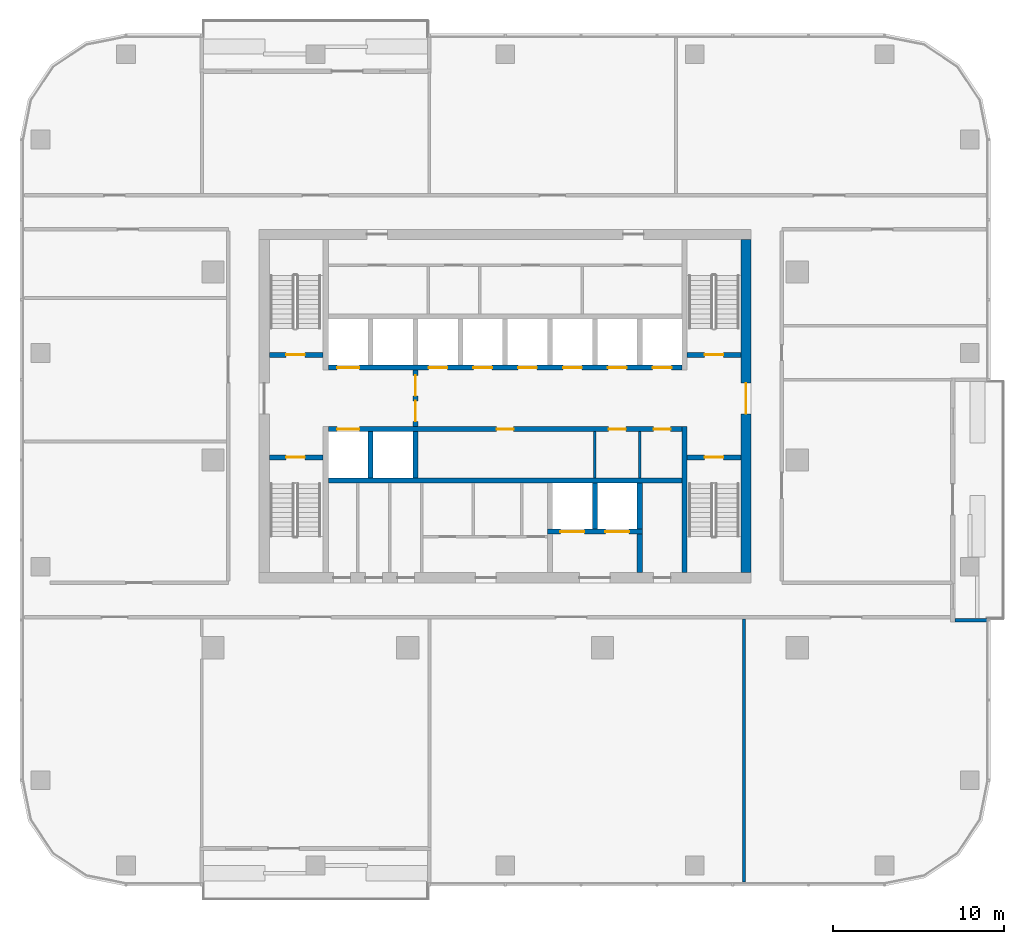
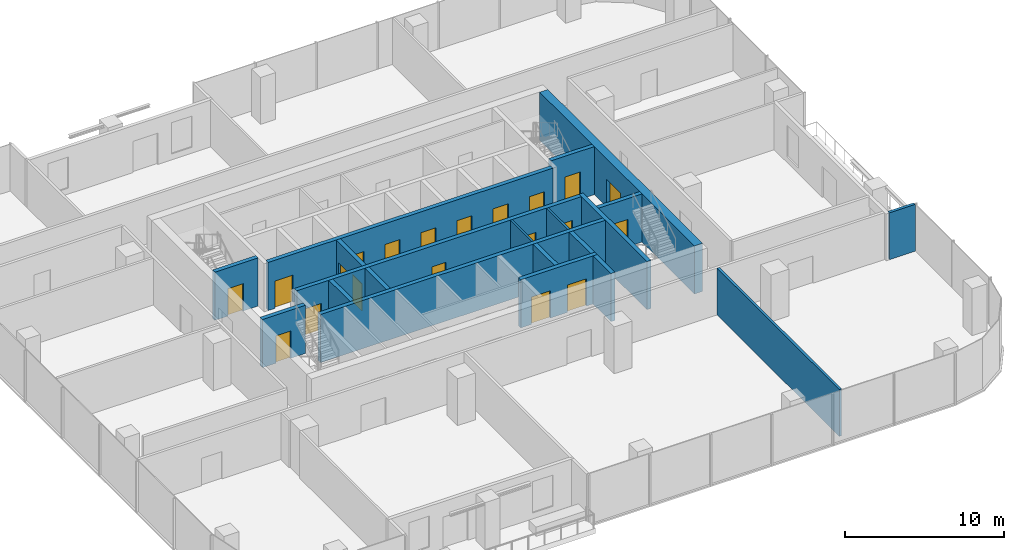
# One storey, part 8 of 14: 20 doors, 20 walls, 20 openings.
"""IFC4 building model written with IfcOpenShell, lengths in metres."""

from ifc_helpers import new_model, si_unit, direction, frame, frame_2d, origin, place, context, subcontext, project, spatial, rectangle, extrude, material, layer, layer_set, type_object, element, fill, save


model = new_model("IFC4")

# Units and contexts
model_context = context("Model", 3, precision=1e-05, world=origin(), true_north=direction((0.0, 1.0)))
body_context = subcontext(model_context, "Body", "Model", "MODEL_VIEW")
ifc_project = project(units=[si_unit("LENGTHUNIT", "METRE"), si_unit("AREAUNIT", "SQUARE_METRE"), si_unit("VOLUMEUNIT", "CUBIC_METRE"), si_unit("PLANEANGLEUNIT", "RADIAN"), si_unit("MASSUNIT", "GRAM", prefix="KILO")], contexts=[model_context])

# Site, building, storey
site_placement = place(None, origin())
site = spatial("IfcSite", under=ifc_project, at=site_placement, CompositionType="ELEMENT")
building_placement = place(site_placement, origin())
building = spatial("IfcBuilding", under=site, at=building_placement, Name="Mopane Tessera Tower", CompositionType="ELEMENT")
storey_placement = place(building_placement, frame((0.0, 0.0, 227.0)))
storey = spatial("IfcBuildingStorey", under=building, at=storey_placement, Name="L48", CompositionType="ELEMENT", Elevation=227.0)

# Walls
ifc_material_1 = material(Name="Fire-rated gypsum board partition")
ifc_layer_1 = layer(ifc_material_1, 0.14990234375)
ifc_layer_set_1 = layer_set([ifc_layer_1], Name="Fire-rated gypsum board partition")
wall_type_1 = type_object("IfcWallType", Name="Core room partition 150 mm", PredefinedType="PARTITIONING", material=ifc_layer_set_1)
for number, where, z_axis, x_axis, name in (
    (1, (5.25, -1.050048828125, 0.0), (0.0, 0.0, 1.0), (0.0, 1.0, 0.0), "L48 Room partition"),
    (2, (7.875, -1.050048828125, 0.0), (0.0, 0.0, 1.0), (0.0, 1.0, 0.0), "L48 Room partition"),
):
    element("IfcWall", number, at=place(storey_placement, frame(where, z_axis=z_axis, x_axis=x_axis)), inside=storey, type_object=wall_type_1, Name=name, PredefinedType="PARTITIONING", context=body_context, shape_type="SweptSolid", body=[
        extrude(rectangle(XDim=2.699951171875, YDim=0.14990234375, at=frame_2d((1.35009765625, 0.0))), origin(), (0.0, 0.0, 1.0), 3.699951171875),
    ])

# Wall, opening, door
ifc_material_2 = material(Name="Concrete C70/85", Category="concrete")
ifc_layer_2 = layer(ifc_material_2, 0.60009765625)
ifc_layer_set_2 = layer_set([ifc_layer_2], Name="Concrete C70/85")
wall_type_2 = type_object("IfcWallType", Name="Core shear wall 600 mm", PredefinedType="SHEAR", material=ifc_layer_set_2)
wall_1_placement = place(storey_placement, frame((14.10009765625, -6.60009765625, 0.0), z_axis=(0.0, 0.0, 1.0), x_axis=(0.0, 1.0, 0.0)))
wall_1 = element("IfcWall", 3, at=wall_1_placement, inside=storey, type_object=wall_type_2, Name="L48 Core wall east", PredefinedType="SHEAR", context=body_context, shape_type="SweptSolid", body=[
    extrude(rectangle(XDim=19.5, YDim=0.60009765625, at=frame_2d((9.75, 0.0))), origin(), (0.0, 0.0, 1.0), 3.699951171875),
])
opening_1_placement = place(wall_1_placement, frame((9.300048828125, 0.0, 0.0)))
opening_1 = element("IfcOpeningElement", 4, at=opening_1_placement, cuts=wall_1, Name="Opening SD2", PredefinedType="OPENING", context=body_context, shape_type="SweptSolid", body=[
    extrude(rectangle(XDim=1.800048828125, YDim=2.10009765625, at=frame_2d((0.89990234375, 1.050048828125))), frame((0.0, 0.31201171875, 0.0), z_axis=(0.0, -1.0, 0.0), x_axis=(1.0, 0.0, 0.0)), (0.0, 0.0, 1.0), 0.6240234375),
])
ifc_material_3 = material(Name="Steel fire door", Category="steel")
door_type_1 = type_object("IfcDoorType", Name="Core entrance double door 1800 x 2100", OperationType="DOUBLE_DOOR_SINGLE_SWING", PredefinedType="DOOR", material=ifc_material_3)
door_1_placement = place(opening_1_placement, origin())
door_1 = element("IfcDoor", 5, at=door_1_placement, inside=storey, type_object=door_type_1, Name="L48 Core entrance door east", OperationType="DOUBLE_DOOR_SINGLE_SWING", OverallHeight=2.10009765625, OverallWidth=1.800048828125, PredefinedType="DOOR", context=body_context, shape_type="SweptSolid", body=[
    extrude(rectangle(XDim=1.800048828125, YDim=2.10009765625, at=frame_2d((0.89990234375, 1.050048828125))), frame((0.0, 0.02490234375, 0.0), z_axis=(0.0, -1.0, 0.0), x_axis=(1.0, 0.0, 0.0)), (0.0, 0.0, 1.0), 0.050048828125),
])
fill(opening_1, door_1)

# Walls
ifc_material_4 = material(Name="Concrete C60/75", Category="concrete")
ifc_layer_3 = layer(ifc_material_4, 0.300048828125)
ifc_layer_set_3 = layer_set([ifc_layer_3], Name="Concrete C60/75")
wall_type_3 = type_object("IfcWallType", Name="Core spine wall 300 mm", PredefinedType="SHEAR", material=ifc_layer_set_3)
wall_2_placement = place(storey_placement, frame((10.5, -6.60009765625, 0.0), z_axis=(0.0, 0.0, 1.0), x_axis=(0.0, 1.0, 0.0)))
element("IfcWall", 6, at=wall_2_placement, inside=storey, type_object=wall_type_3, Name="L48 Core spine wall", PredefinedType="SHEAR", context=body_context, shape_type="SweptSolid", body=[
    extrude(rectangle(XDim=8.550048828125, YDim=0.300048828125, at=frame_2d((4.27490234375, 0.0))), origin(), (0.0, 0.0, 1.0), 3.699951171875),
])
ifc_material_5 = material(Name="Gypsum board on staggered steel studs, double layer each face, acoustic mineral wool infill", Category="steel")
ifc_layer_4 = layer(ifc_material_5, 0.175048828125)
ifc_layer_set_4 = layer_set([ifc_layer_4], Name="Gypsum board on staggered steel studs, double layer each face, acoustic mineral wool infill")
wall_type_4 = type_object("IfcWallType", Name="Gypsum board acoustic partition 175, rated EI 60", PredefinedType="PARTITIONING", material=ifc_layer_set_4)
wall_3_placement = place(storey_placement, frame((13.97509765625, -24.699951171875, 0.0), z_axis=(0.0, 0.0, 1.0), x_axis=(0.0, 1.0, 0.0)))
element("IfcWall", 7, at=wall_3_placement, inside=storey, type_object=wall_type_4, Name="Partition L48:017", PredefinedType="PARTITIONING", context=body_context, shape_type="SweptSolid", body=[
    extrude(rectangle(XDim=15.39990234375, YDim=0.175048828125, at=frame_2d((7.699951171875, 0.0))), origin(), (0.0, 0.0, 1.0), 3.60009765625),
])

# Wall, opening, door
ifc_material_6 = material(Name="Concrete C50/60", Category="concrete")
ifc_layer_5 = layer(ifc_material_6, 0.300048828125)
ifc_layer_set_5 = layer_set([ifc_layer_5], Name="Concrete C50/60")
wall_type_5 = type_object("IfcWallType", Name="Lift and stair shaft wall 300 mm", PredefinedType="SOLIDWALL", material=ifc_layer_set_5)
wall_4_placement = place(storey_placement, frame((-13.800048828125, 0.14990234375, 0.0), z_axis=(0.0, 0.0, 1.0), x_axis=(1.0, 0.0, 0.0)))
wall_4 = element("IfcWall", 8, at=wall_4_placement, inside=storey, type_object=wall_type_5, Name="L48 Stair enclosure wall", PredefinedType="SOLIDWALL", context=body_context, shape_type="SweptSolid", body=[
    extrude(rectangle(XDim=3.150146484375, YDim=0.300048828125, at=frame_2d((1.5751953125, 0.0))), origin(), (0.0, 0.0, 1.0), 3.699951171875),
])
opening_2_placement = place(wall_4_placement, frame((0.97509765625, 0.0, 0.0)))
opening_2 = element("IfcOpeningElement", 9, at=opening_2_placement, cuts=wall_4, Name="Opening SD1", PredefinedType="OPENING", context=body_context, shape_type="SweptSolid", body=[
    extrude(rectangle(XDim=1.10009765625, YDim=2.10009765625, at=frame_2d((0.550048828125, 1.050048828125))), frame((0.0, 0.162109375, 0.0), z_axis=(0.0, -1.0, 0.0), x_axis=(1.0, 0.0, 0.0)), (0.0, 0.0, 1.0), 0.323974609375),
])
ifc_material_7 = material(Name="Steel fire door", Category="steel")
door_type_2 = type_object("IfcDoorType", Name="Stair fire door 1100 x 2100", OperationType="SINGLE_SWING_LEFT", PredefinedType="DOOR", material=ifc_material_7)
door_2_placement = place(opening_2_placement, origin())
door_2 = element("IfcDoor", 10, at=door_2_placement, inside=storey, type_object=door_type_2, Name="L48 Stair door ST1", OperationType="SINGLE_SWING_LEFT", OverallHeight=2.10009765625, OverallWidth=1.10009765625, PredefinedType="DOOR", context=body_context, shape_type="SweptSolid", body=[
    extrude(rectangle(XDim=1.10009765625, YDim=2.10009765625, at=frame_2d((0.550048828125, 1.050048828125))), frame((0.0, 0.02490234375, 0.0), z_axis=(0.0, -1.0, 0.0), x_axis=(1.0, 0.0, 0.0)), (0.0, 0.0, 1.0), 0.050048828125),
])
fill(opening_2, door_2)

wall_5_placement = place(storey_placement, frame((-13.800048828125, 6.14990234375, 0.0), z_axis=(0.0, 0.0, 1.0), x_axis=(1.0, 0.0, 0.0)))
wall_5 = element("IfcWall", 11, at=wall_5_placement, inside=storey, type_object=wall_type_5, Name="L48 Stair enclosure wall", PredefinedType="SOLIDWALL", context=body_context, shape_type="SweptSolid", body=[
    extrude(rectangle(XDim=3.150146484375, YDim=0.300048828125, at=frame_2d((1.5751953125, 0.0))), origin(), (0.0, 0.0, 1.0), 3.699951171875),
])
opening_3_placement = place(wall_5_placement, frame((0.97509765625, 0.0, 0.0)))
opening_3 = element("IfcOpeningElement", 12, at=opening_3_placement, cuts=wall_5, Name="Opening SD1", PredefinedType="OPENING", context=body_context, shape_type="SweptSolid", body=[
    extrude(rectangle(XDim=1.10009765625, YDim=2.10009765625, at=frame_2d((0.550048828125, 1.050048828125))), frame((0.0, 0.162109375, 0.0), z_axis=(0.0, -1.0, 0.0), x_axis=(1.0, 0.0, 0.0)), (0.0, 0.0, 1.0), 0.323974609375),
])
door_3_placement = place(opening_3_placement, origin())
door_3 = element("IfcDoor", 13, at=door_3_placement, inside=storey, type_object=door_type_2, Name="L48 Stair door ST2", OperationType="SINGLE_SWING_LEFT", OverallHeight=2.10009765625, OverallWidth=1.10009765625, PredefinedType="DOOR", context=body_context, shape_type="SweptSolid", body=[
    extrude(rectangle(XDim=1.10009765625, YDim=2.10009765625, at=frame_2d((0.550048828125, 1.050048828125))), frame((0.0, 0.02490234375, 0.0), z_axis=(0.0, -1.0, 0.0), x_axis=(1.0, 0.0, 0.0)), (0.0, 0.0, 1.0), 0.050048828125),
])
fill(opening_3, door_3)

wall_6_placement = place(storey_placement, frame((10.64990234375, 0.14990234375, 0.0), z_axis=(0.0, 0.0, 1.0), x_axis=(1.0, 0.0, 0.0)))
wall_6 = element("IfcWall", 14, at=wall_6_placement, inside=storey, type_object=wall_type_5, Name="L48 Stair enclosure wall", PredefinedType="SOLIDWALL", context=body_context, shape_type="SweptSolid", body=[
    extrude(rectangle(XDim=3.150146484375, YDim=0.300048828125, at=frame_2d((1.5751953125, 0.0))), origin(), (0.0, 0.0, 1.0), 3.699951171875),
])
opening_4_placement = place(wall_6_placement, frame((1.02490234375, 0.0, 0.0)))
opening_4 = element("IfcOpeningElement", 15, at=opening_4_placement, cuts=wall_6, Name="Opening SD1", PredefinedType="OPENING", context=body_context, shape_type="SweptSolid", body=[
    extrude(rectangle(XDim=1.10009765625, YDim=2.10009765625, at=frame_2d((0.550048828125, 1.050048828125))), frame((0.0, 0.162109375, 0.0), z_axis=(0.0, -1.0, 0.0), x_axis=(1.0, 0.0, 0.0)), (0.0, 0.0, 1.0), 0.323974609375),
])
door_4_placement = place(opening_4_placement, origin())
door_4 = element("IfcDoor", 16, at=door_4_placement, inside=storey, type_object=door_type_2, Name="L48 Stair door ST3", OperationType="SINGLE_SWING_RIGHT", OverallHeight=2.10009765625, OverallWidth=1.10009765625, PredefinedType="DOOR", context=body_context, shape_type="SweptSolid", body=[
    extrude(rectangle(XDim=1.10009765625, YDim=2.10009765625, at=frame_2d((0.550048828125, 1.050048828125))), frame((0.0, 0.02490234375, 0.0), z_axis=(0.0, -1.0, 0.0), x_axis=(1.0, 0.0, 0.0)), (0.0, 0.0, 1.0), 0.050048828125),
])
fill(opening_4, door_4)

wall_7_placement = place(storey_placement, frame((10.64990234375, 6.14990234375, 0.0), z_axis=(0.0, 0.0, 1.0), x_axis=(1.0, 0.0, 0.0)))
wall_7 = element("IfcWall", 17, at=wall_7_placement, inside=storey, type_object=wall_type_5, Name="L48 Stair enclosure wall", PredefinedType="SOLIDWALL", context=body_context, shape_type="SweptSolid", body=[
    extrude(rectangle(XDim=3.150146484375, YDim=0.300048828125, at=frame_2d((1.5751953125, 0.0))), origin(), (0.0, 0.0, 1.0), 3.699951171875),
])
opening_5_placement = place(wall_7_placement, frame((1.02490234375, 0.0, 0.0)))
opening_5 = element("IfcOpeningElement", 18, at=opening_5_placement, cuts=wall_7, Name="Opening SD1", PredefinedType="OPENING", context=body_context, shape_type="SweptSolid", body=[
    extrude(rectangle(XDim=1.10009765625, YDim=2.10009765625, at=frame_2d((0.550048828125, 1.050048828125))), frame((0.0, 0.162109375, 0.0), z_axis=(0.0, -1.0, 0.0), x_axis=(1.0, 0.0, 0.0)), (0.0, 0.0, 1.0), 0.323974609375),
])
door_5_placement = place(opening_5_placement, origin())
door_5 = element("IfcDoor", 19, at=door_5_placement, inside=storey, type_object=door_type_2, Name="L48 Stair door ST4", OperationType="SINGLE_SWING_RIGHT", OverallHeight=2.10009765625, OverallWidth=1.10009765625, PredefinedType="DOOR", context=body_context, shape_type="SweptSolid", body=[
    extrude(rectangle(XDim=1.10009765625, YDim=2.10009765625, at=frame_2d((0.550048828125, 1.050048828125))), frame((0.0, 0.02490234375, 0.0), z_axis=(0.0, -1.0, 0.0), x_axis=(1.0, 0.0, 0.0)), (0.0, 0.0, 1.0), 0.050048828125),
])
fill(opening_5, door_5)

# Wall
wall_8_placement = place(storey_placement, frame((-10.35009765625, -1.199951171875, 0.0), z_axis=(0.0, 0.0, 1.0), x_axis=(1.0, 0.0, 0.0)))
element("IfcWall", 20, at=wall_8_placement, inside=storey, type_object=wall_type_5, Name="L48 Lift shaft rear wall", PredefinedType="SOLIDWALL", context=body_context, shape_type="SweptSolid", body=[
    extrude(rectangle(XDim=20.7001953125, YDim=0.300048828125, at=frame_2d((10.35009765625, 0.0))), origin(), (0.0, 0.0, 1.0), 3.699951171875),
])

# Wall, openings, doors
wall_9_placement = place(storey_placement, frame((-10.35009765625, 1.800048828125, 0.0), z_axis=(0.0, 0.0, 1.0), x_axis=(1.0, 0.0, 0.0)))
wall_9 = element("IfcWall", 21, at=wall_9_placement, inside=storey, type_object=wall_type_5, Name="L48 Lift shaft front wall", PredefinedType="SOLIDWALL", context=body_context, shape_type="SweptSolid", body=[
    extrude(rectangle(XDim=20.7001953125, YDim=0.300048828125, at=frame_2d((10.35009765625, 0.0))), origin(), (0.0, 0.0, 1.0), 3.699951171875),
])
opening_6_placement = place(wall_9_placement, frame((0.512451171875, 0.0, 0.0)))
opening_6 = element("IfcOpeningElement", 22, at=opening_6_placement, cuts=wall_9, Name="Opening LD2", PredefinedType="OPENING", context=body_context, shape_type="SweptSolid", body=[
    extrude(rectangle(XDim=1.300048828125, YDim=2.10009765625, at=frame_2d((0.64990234375, 1.050048828125))), frame((0.0, 0.162109375, 0.0), z_axis=(0.0, -1.0, 0.0), x_axis=(1.0, 0.0, 0.0)), (0.0, 0.0, 1.0), 0.323974609375),
])
opening_7_placement = place(wall_9_placement, frame((9.85009765625, 0.0, 0.0)))
opening_7 = element("IfcOpeningElement", 23, at=opening_7_placement, cuts=wall_9, Name="Opening RD1", PredefinedType="OPENING", context=body_context, shape_type="SweptSolid", body=[
    extrude(rectangle(XDim=1.0, YDim=2.10009765625, at=frame_2d((0.5, 1.050048828125))), frame((0.0, 0.162109375, 0.0), z_axis=(0.0, -1.0, 0.0), x_axis=(1.0, 0.0, 0.0)), (0.0, 0.0, 1.0), 0.323974609375),
])
opening_8_placement = place(wall_9_placement, frame((16.41259765625, 0.0, 0.0)))
opening_8 = element("IfcOpeningElement", 24, at=opening_8_placement, cuts=wall_9, Name="Opening RD1", PredefinedType="OPENING", context=body_context, shape_type="SweptSolid", body=[
    extrude(rectangle(XDim=1.0, YDim=2.10009765625, at=frame_2d((0.5, 1.050048828125))), frame((0.0, 0.162109375, 0.0), z_axis=(0.0, -1.0, 0.0), x_axis=(1.0, 0.0, 0.0)), (0.0, 0.0, 1.0), 0.323974609375),
])
opening_9_placement = place(wall_9_placement, frame((19.03759765625, 0.0, 0.0)))
opening_9 = element("IfcOpeningElement", 25, at=opening_9_placement, cuts=wall_9, Name="Opening RD1", PredefinedType="OPENING", context=body_context, shape_type="SweptSolid", body=[
    extrude(rectangle(XDim=1.0, YDim=2.10009765625, at=frame_2d((0.5, 1.050048828125))), frame((0.0, 0.162109375, 0.0), z_axis=(0.0, -1.0, 0.0), x_axis=(1.0, 0.0, 0.0)), (0.0, 0.0, 1.0), 0.323974609375),
])
ifc_material_8 = material(Name="Timber door", Category="wood")
door_type_3 = type_object("IfcDoorType", Name="Core room door 1000 x 2100", OperationType="SINGLE_SWING_LEFT", PredefinedType="DOOR", material=ifc_material_8)
door_6_placement = place(opening_7_placement, origin())
door_6 = element("IfcDoor", 26, at=door_6_placement, inside=storey, type_object=door_type_3, Name="L48 Room door", OperationType="SINGLE_SWING_LEFT", OverallHeight=2.10009765625, OverallWidth=1.0, PredefinedType="DOOR", context=body_context, shape_type="SweptSolid", body=[
    extrude(rectangle(XDim=1.0, YDim=2.10009765625, at=frame_2d((0.5, 1.050048828125))), frame((0.0, 0.02490234375, 0.0), z_axis=(0.0, -1.0, 0.0), x_axis=(1.0, 0.0, 0.0)), (0.0, 0.0, 1.0), 0.050048828125),
])
fill(opening_7, door_6)
door_7_placement = place(opening_8_placement, origin())
door_7 = element("IfcDoor", 27, at=door_7_placement, inside=storey, type_object=door_type_3, Name="L48 Room door", OperationType="SINGLE_SWING_LEFT", OverallHeight=2.10009765625, OverallWidth=1.0, PredefinedType="DOOR", context=body_context, shape_type="SweptSolid", body=[
    extrude(rectangle(XDim=1.0, YDim=2.10009765625, at=frame_2d((0.5, 1.050048828125))), frame((0.0, 0.02490234375, 0.0), z_axis=(0.0, -1.0, 0.0), x_axis=(1.0, 0.0, 0.0)), (0.0, 0.0, 1.0), 0.050048828125),
])
fill(opening_8, door_7)
door_8_placement = place(opening_9_placement, origin())
door_8 = element("IfcDoor", 28, at=door_8_placement, inside=storey, type_object=door_type_3, Name="L48 Room door", OperationType="SINGLE_SWING_LEFT", OverallHeight=2.10009765625, OverallWidth=1.0, PredefinedType="DOOR", context=body_context, shape_type="SweptSolid", body=[
    extrude(rectangle(XDim=1.0, YDim=2.10009765625, at=frame_2d((0.5, 1.050048828125))), frame((0.0, 0.02490234375, 0.0), z_axis=(0.0, -1.0, 0.0), x_axis=(1.0, 0.0, 0.0)), (0.0, 0.0, 1.0), 0.050048828125),
])
fill(opening_9, door_8)
ifc_material_9 = material(Name="Stainless steel sliding door", Category="steel")
door_type_4 = type_object("IfcDoorType", Name="Fire-fighting lift landing door 1300 x 2100", OperationType="DOUBLE_DOOR_SLIDING", PredefinedType="DOOR", material=ifc_material_9)
door_9_placement = place(opening_6_placement, origin())
door_9 = element("IfcDoor", 29, at=door_9_placement, inside=storey, type_object=door_type_4, Name="L48 Lift landing door FF1", OperationType="DOUBLE_DOOR_SLIDING", OverallHeight=2.10009765625, OverallWidth=1.300048828125, PredefinedType="DOOR", context=body_context, shape_type="SweptSolid", body=[
    extrude(rectangle(XDim=1.300048828125, YDim=2.10009765625, at=frame_2d((0.64990234375, 1.050048828125))), frame((0.0, 0.02490234375, 0.0), z_axis=(0.0, -1.0, 0.0), x_axis=(1.0, 0.0, 0.0)), (0.0, 0.0, 1.0), 0.050048828125),
])
fill(opening_6, door_9)

wall_10_placement = place(storey_placement, frame((-10.35009765625, 5.39990234375, 0.0), z_axis=(0.0, 0.0, 1.0), x_axis=(1.0, 0.0, 0.0)))
wall_10 = element("IfcWall", 30, at=wall_10_placement, inside=storey, type_object=wall_type_5, Name="L48 Lift shaft front wall", PredefinedType="SOLIDWALL", context=body_context, shape_type="SweptSolid", body=[
    extrude(rectangle(XDim=20.7001953125, YDim=0.300048828125, at=frame_2d((10.35009765625, 0.0))), origin(), (0.0, 0.0, 1.0), 3.699951171875),
])
opening_10_placement = place(wall_10_placement, frame((0.512451171875, 0.0, 0.0)))
opening_10 = element("IfcOpeningElement", 31, at=opening_10_placement, cuts=wall_10, Name="Opening LD2", PredefinedType="OPENING", context=body_context, shape_type="SweptSolid", body=[
    extrude(rectangle(XDim=1.300048828125, YDim=2.10009765625, at=frame_2d((0.64990234375, 1.050048828125))), frame((0.0, 0.162109375, 0.0), z_axis=(0.0, -1.0, 0.0), x_axis=(1.0, 0.0, 0.0)), (0.0, 0.0, 1.0), 0.323974609375),
])
opening_11_placement = place(wall_10_placement, frame((5.862548828125, 0.0, 0.0)))
opening_11 = element("IfcOpeningElement", 32, at=opening_11_placement, cuts=wall_10, Name="Opening LD", PredefinedType="OPENING", context=body_context, shape_type="SweptSolid", body=[
    extrude(rectangle(XDim=1.10009765625, YDim=2.10009765625, at=frame_2d((0.550048828125, 1.050048828125))), frame((0.0, 0.162109375, 0.0), z_axis=(0.0, -1.0, 0.0), x_axis=(1.0, 0.0, 0.0)), (0.0, 0.0, 1.0), 0.323974609375),
])
opening_12_placement = place(wall_10_placement, frame((8.487548828125, 0.0, 0.0)))
opening_12 = element("IfcOpeningElement", 33, at=opening_12_placement, cuts=wall_10, Name="Opening LD", PredefinedType="OPENING", context=body_context, shape_type="SweptSolid", body=[
    extrude(rectangle(XDim=1.10009765625, YDim=2.10009765625, at=frame_2d((0.550048828125, 1.050048828125))), frame((0.0, 0.162109375, 0.0), z_axis=(0.0, -1.0, 0.0), x_axis=(1.0, 0.0, 0.0)), (0.0, 0.0, 1.0), 0.323974609375),
])
opening_13_placement = place(wall_10_placement, frame((11.112548828125, 0.0, 0.0)))
opening_13 = element("IfcOpeningElement", 34, at=opening_13_placement, cuts=wall_10, Name="Opening LD", PredefinedType="OPENING", context=body_context, shape_type="SweptSolid", body=[
    extrude(rectangle(XDim=1.10009765625, YDim=2.10009765625, at=frame_2d((0.550048828125, 1.050048828125))), frame((0.0, 0.162109375, 0.0), z_axis=(0.0, -1.0, 0.0), x_axis=(1.0, 0.0, 0.0)), (0.0, 0.0, 1.0), 0.323974609375),
])
opening_14_placement = place(wall_10_placement, frame((13.737548828125, 0.0, 0.0)))
opening_14 = element("IfcOpeningElement", 35, at=opening_14_placement, cuts=wall_10, Name="Opening LD", PredefinedType="OPENING", context=body_context, shape_type="SweptSolid", body=[
    extrude(rectangle(XDim=1.10009765625, YDim=2.10009765625, at=frame_2d((0.550048828125, 1.050048828125))), frame((0.0, 0.162109375, 0.0), z_axis=(0.0, -1.0, 0.0), x_axis=(1.0, 0.0, 0.0)), (0.0, 0.0, 1.0), 0.323974609375),
])
opening_15_placement = place(wall_10_placement, frame((16.362548828125, 0.0, 0.0)))
opening_15 = element("IfcOpeningElement", 36, at=opening_15_placement, cuts=wall_10, Name="Opening LD", PredefinedType="OPENING", context=body_context, shape_type="SweptSolid", body=[
    extrude(rectangle(XDim=1.10009765625, YDim=2.10009765625, at=frame_2d((0.550048828125, 1.050048828125))), frame((0.0, 0.162109375, 0.0), z_axis=(0.0, -1.0, 0.0), x_axis=(1.0, 0.0, 0.0)), (0.0, 0.0, 1.0), 0.323974609375),
])
opening_16_placement = place(wall_10_placement, frame((18.987548828125, 0.0, 0.0)))
opening_16 = element("IfcOpeningElement", 37, at=opening_16_placement, cuts=wall_10, Name="Opening LD", PredefinedType="OPENING", context=body_context, shape_type="SweptSolid", body=[
    extrude(rectangle(XDim=1.10009765625, YDim=2.10009765625, at=frame_2d((0.550048828125, 1.050048828125))), frame((0.0, 0.162109375, 0.0), z_axis=(0.0, -1.0, 0.0), x_axis=(1.0, 0.0, 0.0)), (0.0, 0.0, 1.0), 0.323974609375),
])
door_10_placement = place(opening_10_placement, origin())
door_10 = element("IfcDoor", 38, at=door_10_placement, inside=storey, type_object=door_type_4, Name="L48 Lift landing door FF2", OperationType="DOUBLE_DOOR_SLIDING", OverallHeight=2.10009765625, OverallWidth=1.300048828125, PredefinedType="DOOR", context=body_context, shape_type="SweptSolid", body=[
    extrude(rectangle(XDim=1.300048828125, YDim=2.10009765625, at=frame_2d((0.64990234375, 1.050048828125))), frame((0.0, 0.02490234375, 0.0), z_axis=(0.0, -1.0, 0.0), x_axis=(1.0, 0.0, 0.0)), (0.0, 0.0, 1.0), 0.050048828125),
])
fill(opening_10, door_10)
ifc_material_10 = material(Name="Stainless steel sliding door", Category="steel")
door_type_5 = type_object("IfcDoorType", Name="Lift landing door 1100 x 2100", OperationType="DOUBLE_DOOR_SLIDING", PredefinedType="DOOR", material=ifc_material_10)
door_11_placement = place(opening_11_placement, origin())
door_11 = element("IfcDoor", 39, at=door_11_placement, inside=storey, type_object=door_type_5, Name="L48 Lift landing door HR1", OperationType="DOUBLE_DOOR_SLIDING", OverallHeight=2.10009765625, OverallWidth=1.10009765625, PredefinedType="DOOR", context=body_context, shape_type="SweptSolid", body=[
    extrude(rectangle(XDim=1.10009765625, YDim=2.10009765625, at=frame_2d((0.550048828125, 1.050048828125))), frame((0.0, 0.02490234375, 0.0), z_axis=(0.0, -1.0, 0.0), x_axis=(1.0, 0.0, 0.0)), (0.0, 0.0, 1.0), 0.050048828125),
])
fill(opening_11, door_11)
door_12_placement = place(opening_12_placement, origin())
door_12 = element("IfcDoor", 40, at=door_12_placement, inside=storey, type_object=door_type_5, Name="L48 Lift landing door HR2", OperationType="DOUBLE_DOOR_SLIDING", OverallHeight=2.10009765625, OverallWidth=1.10009765625, PredefinedType="DOOR", context=body_context, shape_type="SweptSolid", body=[
    extrude(rectangle(XDim=1.10009765625, YDim=2.10009765625, at=frame_2d((0.550048828125, 1.050048828125))), frame((0.0, 0.02490234375, 0.0), z_axis=(0.0, -1.0, 0.0), x_axis=(1.0, 0.0, 0.0)), (0.0, 0.0, 1.0), 0.050048828125),
])
fill(opening_12, door_12)
door_13_placement = place(opening_13_placement, origin())
door_13 = element("IfcDoor", 41, at=door_13_placement, inside=storey, type_object=door_type_5, Name="L48 Lift landing door HR3", OperationType="DOUBLE_DOOR_SLIDING", OverallHeight=2.10009765625, OverallWidth=1.10009765625, PredefinedType="DOOR", context=body_context, shape_type="SweptSolid", body=[
    extrude(rectangle(XDim=1.10009765625, YDim=2.10009765625, at=frame_2d((0.550048828125, 1.050048828125))), frame((0.0, 0.02490234375, 0.0), z_axis=(0.0, -1.0, 0.0), x_axis=(1.0, 0.0, 0.0)), (0.0, 0.0, 1.0), 0.050048828125),
])
fill(opening_13, door_13)
door_14_placement = place(opening_14_placement, origin())
door_14 = element("IfcDoor", 42, at=door_14_placement, inside=storey, type_object=door_type_5, Name="L48 Lift landing door HR4", OperationType="DOUBLE_DOOR_SLIDING", OverallHeight=2.10009765625, OverallWidth=1.10009765625, PredefinedType="DOOR", context=body_context, shape_type="SweptSolid", body=[
    extrude(rectangle(XDim=1.10009765625, YDim=2.10009765625, at=frame_2d((0.550048828125, 1.050048828125))), frame((0.0, 0.02490234375, 0.0), z_axis=(0.0, -1.0, 0.0), x_axis=(1.0, 0.0, 0.0)), (0.0, 0.0, 1.0), 0.050048828125),
])
fill(opening_14, door_14)
door_15_placement = place(opening_15_placement, origin())
door_15 = element("IfcDoor", 43, at=door_15_placement, inside=storey, type_object=door_type_5, Name="L48 Lift landing door HR5", OperationType="DOUBLE_DOOR_SLIDING", OverallHeight=2.10009765625, OverallWidth=1.10009765625, PredefinedType="DOOR", context=body_context, shape_type="SweptSolid", body=[
    extrude(rectangle(XDim=1.10009765625, YDim=2.10009765625, at=frame_2d((0.550048828125, 1.050048828125))), frame((0.0, 0.02490234375, 0.0), z_axis=(0.0, -1.0, 0.0), x_axis=(1.0, 0.0, 0.0)), (0.0, 0.0, 1.0), 0.050048828125),
])
fill(opening_15, door_15)
door_16_placement = place(opening_16_placement, origin())
door_16 = element("IfcDoor", 44, at=door_16_placement, inside=storey, type_object=door_type_5, Name="L48 Lift landing door HR6", OperationType="DOUBLE_DOOR_SLIDING", OverallHeight=2.10009765625, OverallWidth=1.10009765625, PredefinedType="DOOR", context=body_context, shape_type="SweptSolid", body=[
    extrude(rectangle(XDim=1.10009765625, YDim=2.10009765625, at=frame_2d((0.550048828125, 1.050048828125))), frame((0.0, 0.02490234375, 0.0), z_axis=(0.0, -1.0, 0.0), x_axis=(1.0, 0.0, 0.0)), (0.0, 0.0, 1.0), 0.050048828125),
])
fill(opening_16, door_16)

# Walls
for number, where, z_axis, x_axis, name in (
    (45, (-7.875, -1.050048828125, 0.0), (0.0, 0.0, 1.0), (0.0, 1.0, 0.0), "L48 Lift shaft wall"),
    (46, (-5.25, -1.050048828125, 0.0), (0.0, 0.0, 1.0), (0.0, 1.0, 0.0), "L48 Lift shaft wall"),
):
    element("IfcWall", number, at=place(storey_placement, frame(where, z_axis=z_axis, x_axis=x_axis)), inside=storey, type_object=wall_type_5, Name=name, PredefinedType="SOLIDWALL", context=body_context, shape_type="SweptSolid", body=[
        extrude(rectangle(XDim=2.699951171875, YDim=0.300048828125, at=frame_2d((1.35009765625, 0.0))), origin(), (0.0, 0.0, 1.0), 3.699951171875),
    ])

# Wall, openings, doors
wall_11_placement = place(storey_placement, frame((2.47509765625, -4.199951171875, 0.0), z_axis=(0.0, 0.0, 1.0), x_axis=(1.0, 0.0, 0.0)))
wall_11 = element("IfcWall", 47, at=wall_11_placement, inside=storey, type_object=wall_type_5, Name="L48 Lift shaft front wall", PredefinedType="SOLIDWALL", context=body_context, shape_type="SweptSolid", body=[
    extrude(rectangle(XDim=5.5498046875, YDim=0.300048828125, at=frame_2d((2.77490234375, 0.0))), origin(), (0.0, 0.0, 1.0), 3.699951171875),
])
opening_17_placement = place(wall_11_placement, frame((0.762451171875, 0.0, 0.0)))
opening_17 = element("IfcOpeningElement", 48, at=opening_17_placement, cuts=wall_11, Name="Opening LD3", PredefinedType="OPENING", context=body_context, shape_type="SweptSolid", body=[
    extrude(rectangle(XDim=1.39990234375, YDim=2.10009765625, at=frame_2d((0.699951171875, 1.050048828125))), frame((0.0, 0.162109375, 0.0), z_axis=(0.0, -1.0, 0.0), x_axis=(1.0, 0.0, 0.0)), (0.0, 0.0, 1.0), 0.323974609375),
])
opening_18_placement = place(wall_11_placement, frame((3.387451171875, 0.0, 0.0)))
opening_18 = element("IfcOpeningElement", 49, at=opening_18_placement, cuts=wall_11, Name="Opening LD3", PredefinedType="OPENING", context=body_context, shape_type="SweptSolid", body=[
    extrude(rectangle(XDim=1.39990234375, YDim=2.10009765625, at=frame_2d((0.699951171875, 1.050048828125))), frame((0.0, 0.162109375, 0.0), z_axis=(0.0, -1.0, 0.0), x_axis=(1.0, 0.0, 0.0)), (0.0, 0.0, 1.0), 0.323974609375),
])
ifc_material_11 = material(Name="Stainless steel sliding door", Category="steel")
door_type_6 = type_object("IfcDoorType", Name="Service lift landing door 1400 x 2100", OperationType="DOUBLE_DOOR_SLIDING", PredefinedType="DOOR", material=ifc_material_11)
door_17_placement = place(opening_17_placement, origin())
door_17 = element("IfcDoor", 50, at=door_17_placement, inside=storey, type_object=door_type_6, Name="L48 Lift landing door SV1", OperationType="DOUBLE_DOOR_SLIDING", OverallHeight=2.10009765625, OverallWidth=1.39990234375, PredefinedType="DOOR", context=body_context, shape_type="SweptSolid", body=[
    extrude(rectangle(XDim=1.39990234375, YDim=2.10009765625, at=frame_2d((0.699951171875, 1.050048828125))), frame((0.0, 0.02490234375, 0.0), z_axis=(0.0, -1.0, 0.0), x_axis=(1.0, 0.0, 0.0)), (0.0, 0.0, 1.0), 0.050048828125),
])
fill(opening_17, door_17)
door_18_placement = place(opening_18_placement, origin())
door_18 = element("IfcDoor", 51, at=door_18_placement, inside=storey, type_object=door_type_6, Name="L48 Lift landing door SV2", OperationType="DOUBLE_DOOR_SLIDING", OverallHeight=2.10009765625, OverallWidth=1.39990234375, PredefinedType="DOOR", context=body_context, shape_type="SweptSolid", body=[
    extrude(rectangle(XDim=1.39990234375, YDim=2.10009765625, at=frame_2d((0.699951171875, 1.050048828125))), frame((0.0, 0.02490234375, 0.0), z_axis=(0.0, -1.0, 0.0), x_axis=(1.0, 0.0, 0.0)), (0.0, 0.0, 1.0), 0.050048828125),
])
fill(opening_18, door_18)

# Walls
for number, where, z_axis, x_axis, name in (
    (52, (5.25, -4.050048828125, 0.0), (0.0, 0.0, 1.0), (0.0, 1.0, 0.0), "L48 Lift shaft wall"),
    (53, (7.875, -4.050048828125, 0.0), (0.0, 0.0, 1.0), (0.0, 1.0, 0.0), "L48 Lift shaft wall"),
):
    element("IfcWall", number, at=place(storey_placement, frame(where, z_axis=z_axis, x_axis=x_axis)), inside=storey, type_object=wall_type_5, Name=name, PredefinedType="SOLIDWALL", context=body_context, shape_type="SweptSolid", body=[
        extrude(rectangle(XDim=2.699951171875, YDim=0.300048828125, at=frame_2d((1.35009765625, 0.0))), origin(), (0.0, 0.0, 1.0), 3.699951171875),
    ])

# Wall, openings, doors
ifc_material_12 = material(Name="Concrete C50/60", Category="concrete")
ifc_layer_6 = layer(ifc_material_12, 0.300048828125)
ifc_layer_set_6 = layer_set([ifc_layer_6], Name="Concrete C50/60")
wall_type_6 = type_object("IfcWallType", Name="Lobby and refuge room wall 300 mm", PredefinedType="SOLIDWALL", material=ifc_layer_set_6)
wall_12_placement = place(storey_placement, frame((-5.25, 1.949951171875, 0.0), z_axis=(0.0, 0.0, 1.0), x_axis=(0.0, 1.0, 0.0)))
wall_12 = element("IfcWall", 54, at=wall_12_placement, inside=storey, type_object=wall_type_6, Name="L48 Fire-fighting lobby wall", PredefinedType="SOLIDWALL", context=body_context, shape_type="SweptSolid", body=[
    extrude(rectangle(XDim=3.300048828125, YDim=0.300048828125, at=frame_2d((1.64990234375, 0.0))), origin(), (0.0, 0.0, 1.0), 3.699951171875),
])
opening_19_placement = place(wall_12_placement, frame((0.300048828125, 0.0, 0.0)))
opening_19 = element("IfcOpeningElement", 55, at=opening_19_placement, cuts=wall_12, Name="Opening SD3", PredefinedType="OPENING", context=body_context, shape_type="SweptSolid", body=[
    extrude(rectangle(XDim=1.199951171875, YDim=2.10009765625, at=frame_2d((0.60009765625, 1.050048828125))), frame((0.0, 0.162109375, 0.0), z_axis=(0.0, -1.0, 0.0), x_axis=(1.0, 0.0, 0.0)), (0.0, 0.0, 1.0), 0.323974609375),
])
opening_20_placement = place(wall_12_placement, frame((1.800048828125, 0.0, 0.0)))
opening_20 = element("IfcOpeningElement", 56, at=opening_20_placement, cuts=wall_12, Name="Opening SD3", PredefinedType="OPENING", context=body_context, shape_type="SweptSolid", body=[
    extrude(rectangle(XDim=1.199951171875, YDim=2.10009765625, at=frame_2d((0.60009765625, 1.050048828125))), frame((0.0, 0.162109375, 0.0), z_axis=(0.0, -1.0, 0.0), x_axis=(1.0, 0.0, 0.0)), (0.0, 0.0, 1.0), 0.323974609375),
])
ifc_material_13 = material(Name="Steel fire door", Category="steel")
door_type_7 = type_object("IfcDoorType", Name="Lobby fire door 1200 x 2100", OperationType="SINGLE_SWING_LEFT", PredefinedType="DOOR", material=ifc_material_13)
door_19_placement = place(opening_19_placement, origin())
door_19 = element("IfcDoor", 57, at=door_19_placement, inside=storey, type_object=door_type_7, Name="L48 Fire-fighting lobby door", OperationType="SINGLE_SWING_LEFT", OverallHeight=2.10009765625, OverallWidth=1.199951171875, PredefinedType="DOOR", context=body_context, shape_type="SweptSolid", body=[
    extrude(rectangle(XDim=1.199951171875, YDim=2.10009765625, at=frame_2d((0.60009765625, 1.050048828125))), frame((0.0, 0.02490234375, 0.0), z_axis=(0.0, -1.0, 0.0), x_axis=(1.0, 0.0, 0.0)), (0.0, 0.0, 1.0), 0.050048828125),
])
fill(opening_19, door_19)
door_20_placement = place(opening_20_placement, origin())
door_20 = element("IfcDoor", 58, at=door_20_placement, inside=storey, type_object=door_type_7, Name="L48 Fire-fighting lobby door", OperationType="SINGLE_SWING_RIGHT", OverallHeight=2.10009765625, OverallWidth=1.199951171875, PredefinedType="DOOR", context=body_context, shape_type="SweptSolid", body=[
    extrude(rectangle(XDim=1.199951171875, YDim=2.10009765625, at=frame_2d((0.60009765625, 1.050048828125))), frame((0.0, 0.02490234375, 0.0), z_axis=(0.0, -1.0, 0.0), x_axis=(1.0, 0.0, 0.0)), (0.0, 0.0, 1.0), 0.050048828125),
])
fill(opening_20, door_20)

# Walls
wall_13_placement = place(storey_placement, frame((7.875, -6.60009765625, 0.0), z_axis=(0.0, 0.0, 1.0), x_axis=(0.0, 1.0, 0.0)))
element("IfcWall", 59, at=wall_13_placement, inside=storey, type_object=wall_type_6, Name="L48 Service lobby wall", PredefinedType="SOLIDWALL", context=body_context, shape_type="SweptSolid", body=[
    extrude(rectangle(XDim=2.25, YDim=0.300048828125, at=frame_2d((1.125, 0.0))), origin(), (0.0, 0.0, 1.0), 3.699951171875),
])
ifc_material_14 = material(Name="Blockwork with glazed tile facing", Category="masonry")
ifc_layer_7 = layer(ifc_material_14, 0.199951171875)
ifc_layer_set_7 = layer_set([ifc_layer_7], Name="Blockwork with glazed tile facing")
wall_type_7 = type_object("IfcWallType", Name="Terrace cheek wall 200", PredefinedType="STANDARD", material=ifc_layer_set_7)
wall_14_placement = place(storey_placement, frame((28.199951171875, -9.375, 0.0), z_axis=(0.0, 0.0, 1.0), x_axis=(-1.0, 0.0, 0.0)))
element("IfcWall", 60, at=wall_14_placement, inside=storey, type_object=wall_type_7, Name="e:nw:L48:N2:cheeka", PredefinedType="STANDARD", context=body_context, shape_type="SweptSolid", body=[
    extrude(rectangle(XDim=1.875, YDim=0.199951171875, at=frame_2d((0.9375, 0.0))), origin(), (0.0, 0.0, 1.0), 3.60009765625),
])

save(model, "model.ifc")
